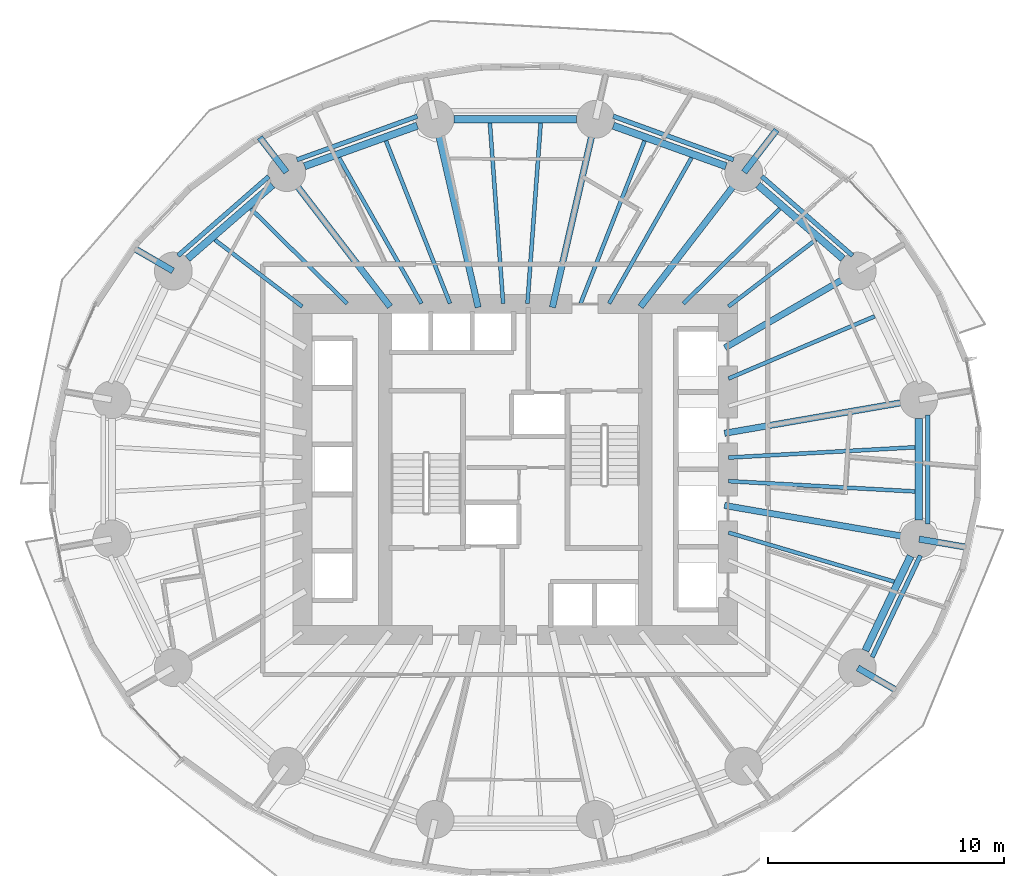
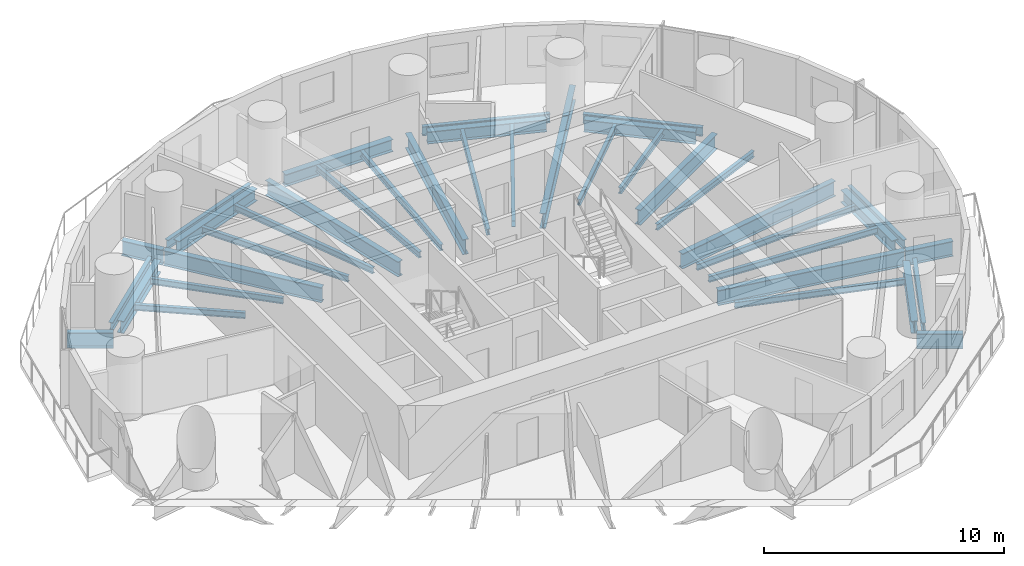
# One storey, part 4 of 14: 39 beams.
"""IFC4 building model written with IfcOpenShell, lengths in metres."""

from ifc_helpers import new_model, si_unit, direction, frame, origin, origin_2d, place, context, subcontext, project, spatial, i_section, extrude, material, material_profile, profile_set, type_object, element, save


model = new_model("IFC4")

# Units and contexts
model_context = context("Model", 3, precision=1e-05, world=origin(), true_north=direction((0.0, 1.0)))
body_context = subcontext(model_context, "Body", "Model", "MODEL_VIEW")
ifc_project = project(units=[si_unit("LENGTHUNIT", "METRE"), si_unit("AREAUNIT", "SQUARE_METRE"), si_unit("VOLUMEUNIT", "CUBIC_METRE"), si_unit("PLANEANGLEUNIT", "RADIAN"), si_unit("MASSUNIT", "GRAM", prefix="KILO")], contexts=[model_context])

# Site, building, storey
site_placement = place(None, origin())
site = spatial("IfcSite", under=ifc_project, at=site_placement, CompositionType="ELEMENT")
building_placement = place(site_placement, origin())
building = spatial("IfcBuilding", under=site, at=building_placement, Name="Veldorim Arch Residences", CompositionType="ELEMENT")
storey_placement = place(building_placement, frame((0.0, 0.0, 31.199951171875)))
storey = spatial("IfcBuildingStorey", under=building, at=storey_placement, Name="L08", CompositionType="ELEMENT", Elevation=31.199951171875)

# Beams
ifc_material_1 = material(Name="Steel S355", Category="steel")
ifc_material_profile_1 = material_profile(ifc_material_1, i_section(OverallWidth=0.30712890625, OverallDepth=0.6201171875, WebThickness=0.01416015625, FlangeThickness=0.023681640625, at=origin_2d()), Name="UB610x305x179")
ifc_profile_set_1 = profile_set([ifc_material_profile_1], Name="Steel S355")
beam_type_1 = type_object("IfcBeamType", Name="Structural Steel Beam UB610x305x179", PredefinedType="BEAM", material=ifc_profile_set_1)
beam_1_placement = place(storey_placement, frame((45.86328125, 32.913330078125, -0.550048828125), z_axis=(-0.755235029424, 0.655454079499, 0.0), x_axis=(-0.655454079499, -0.755235029424, 0.0)))
element("IfcBeam", 1, at=beam_1_placement, inside=storey, type_object=beam_type_1, Name="L08 perimeter ring tie beam 02", PredefinedType="BEAM", context=body_context, shape_type="SweptSolid", body=[
    extrude(i_section(OverallWidth=0.30712890625, OverallDepth=0.6201171875, WebThickness=0.01416015625, FlangeThickness=0.023681640625, at=origin_2d()), origin(), (0.0, 0.0, 1.0), 4.756591796875),
])
beam_2_placement = place(storey_placement, frame((40.9140625, 36.82568359375, -0.550048828125), z_axis=(-0.94103540046, 0.338308106732, 0.0), x_axis=(-0.338308106732, -0.94103540046, 0.0)))
element("IfcBeam", 2, at=beam_2_placement, inside=storey, type_object=beam_type_1, Name="L08 perimeter ring tie beam 03", PredefinedType="BEAM", context=body_context, shape_type="SweptSolid", body=[
    extrude(i_section(OverallWidth=0.30712890625, OverallDepth=0.6201171875, WebThickness=0.01416015625, FlangeThickness=0.023681640625, at=origin_2d()), origin(), (0.0, 0.0, 1.0), 5.065185546875),
])
beam_3_placement = place(storey_placement, frame((34.594482421875, 38.809814453125, -0.550048828125), z_axis=(-1.0, 0.0, 0.0), x_axis=(0.0, -1.0, 0.0)))
element("IfcBeam", 3, at=beam_3_placement, inside=storey, type_object=beam_type_1, Name="L08 perimeter ring tie beam 04", PredefinedType="BEAM", context=body_context, shape_type="SweptSolid", body=[
    extrude(i_section(OverallWidth=0.30712890625, OverallDepth=0.6201171875, WebThickness=0.01416015625, FlangeThickness=0.023681640625, at=origin_2d()), origin(), (0.0, 0.0, 1.0), 5.18896484375),
])
beam_4_placement = place(storey_placement, frame((27.8525390625, 38.539306640625, -0.550048828125), z_axis=(-0.94103540046, -0.338308106732, 0.0), x_axis=(0.338308106732, -0.94103540046, 0.0)))
element("IfcBeam", 4, at=beam_4_placement, inside=storey, type_object=beam_type_1, Name="L08 perimeter ring tie beam 05", PredefinedType="BEAM", context=body_context, shape_type="SweptSolid", body=[
    extrude(i_section(OverallWidth=0.30712890625, OverallDepth=0.6201171875, WebThickness=0.01416015625, FlangeThickness=0.023681640625, at=origin_2d()), origin(), (0.0, 0.0, 1.0), 5.065185546875),
])
beam_5_placement = place(storey_placement, frame((21.72900390625, 36.031005859375, -0.550048828125), z_axis=(-0.755235029424, -0.655454079499, 0.0), x_axis=(0.655454079499, -0.755235029424, 0.0)))
element("IfcBeam", 5, at=beam_5_placement, inside=storey, type_object=beam_type_1, Name="L08 perimeter ring tie beam 06", PredefinedType="BEAM", context=body_context, shape_type="SweptSolid", body=[
    extrude(i_section(OverallWidth=0.30712890625, OverallDepth=0.6201171875, WebThickness=0.01416015625, FlangeThickness=0.023681640625, at=origin_2d()), origin(), (0.0, 0.0, 1.0), 4.756591796875),
])
beam_6_placement = place(storey_placement, frame((46.812255859375, 16.3330078125, -0.550048828125), z_axis=(0.430786696724, 0.902453778276, 0.0), x_axis=(-0.902453778276, 0.430786696724, 0.0)))
element("IfcBeam", 6, at=beam_6_placement, inside=storey, type_object=beam_type_1, Name="L08 perimeter ring tie beam 15", PredefinedType="BEAM", context=body_context, shape_type="SweptSolid", body=[
    extrude(i_section(OverallWidth=0.30712890625, OverallDepth=0.6201171875, WebThickness=0.01416015625, FlangeThickness=0.023681640625, at=origin_2d()), origin(), (0.0, 0.0, 1.0), 4.431396484375),
])
beam_7_placement = place(storey_placement, frame((49.065673828125, 21.85400390625, -0.550048828125), z_axis=(0.0, 1.0, 0.0), x_axis=(-1.0, 0.0, 0.0)))
element("IfcBeam", 7, at=beam_7_placement, inside=storey, type_object=beam_type_1, Name="L08 perimeter ring tie beam 16", PredefinedType="BEAM", context=body_context, shape_type="SweptSolid", body=[
    extrude(i_section(OverallWidth=0.30712890625, OverallDepth=0.6201171875, WebThickness=0.01416015625, FlangeThickness=0.023681640625, at=origin_2d()), origin(), (0.0, 0.0, 1.0), 4.2919921875),
])
ifc_material_2 = material(Name="Steel S355", Category="steel")
ifc_material_profile_2 = material_profile(ifc_material_2, i_section(OverallWidth=0.26806640625, OverallDepth=0.769775390625, WebThickness=0.015625, FlangeThickness=0.025390625, at=origin_2d()), Name="UB762x267x197")
ifc_profile_set_2 = profile_set([ifc_material_profile_2], Name="Steel S355")
beam_type_2 = type_object("IfcBeamType", Name="Structural Steel GIRDER UB762x267x197", PredefinedType="USERDEFINED", material=ifc_profile_set_2)
beam_8_placement = place(storey_placement, frame((40.852294921875, 25.528076171875, -0.624755859375), z_axis=(0.985427548249, 0.170095699979, 0.0), x_axis=(-0.170095699979, 0.985427548249, 0.0)))
element("IfcBeam", 8, at=beam_8_placement, inside=storey, type_object=beam_type_2, Name="L08 radial floor girder 01", ObjectType="GIRDER", PredefinedType="USERDEFINED", context=body_context, shape_type="SweptSolid", body=[
    extrude(i_section(OverallWidth=0.26806640625, OverallDepth=0.769775390625, WebThickness=0.015625, FlangeThickness=0.025390625, at=origin_2d()), origin(), (0.0, 0.0, 1.0), 8.314697265625),
])
beam_9_placement = place(storey_placement, frame((40.8701171875, 29.1435546875, -0.624755859375), z_axis=(0.865088348752, 0.501619525989, 0.0), x_axis=(-0.501619525989, 0.865088348752, 0.0)))
element("IfcBeam", 9, at=beam_9_placement, inside=storey, type_object=beam_type_2, Name="L08 radial floor girder 02", ObjectType="GIRDER", PredefinedType="USERDEFINED", context=body_context, shape_type="SweptSolid", body=[
    extrude(i_section(OverallWidth=0.26806640625, OverallDepth=0.769775390625, WebThickness=0.015625, FlangeThickness=0.025390625, at=origin_2d()), origin(), (0.0, 0.0, 1.0), 6.4501953125),
])
beam_10_placement = place(storey_placement, frame((37.298095703125, 30.881103515625, -0.624755859375), z_axis=(0.610082439157, 0.792337943956, 0.0), x_axis=(-0.792337943956, 0.610082439157, 0.0)))
element("IfcBeam", 10, at=beam_10_placement, inside=storey, type_object=beam_type_2, Name="L08 radial floor girder 03", ObjectType="GIRDER", PredefinedType="USERDEFINED", context=body_context, shape_type="SweptSolid", body=[
    extrude(i_section(OverallWidth=0.26806640625, OverallDepth=0.769775390625, WebThickness=0.015625, FlangeThickness=0.025390625, at=origin_2d()), origin(), (0.0, 0.0, 1.0), 7.14111328125),
])
beam_11_placement = place(storey_placement, frame((41.67919921875, 36.571044921875, -0.624755859375), z_axis=(0.610044777152, 0.792366941429, 0.0), x_axis=(-0.792366941429, 0.610044777152, 0.0)))
element("IfcBeam", 11, at=beam_11_placement, inside=storey, type_object=beam_type_2, Name="L08 radial edge cantilever girder 03", ObjectType="GIRDER", PredefinedType="USERDEFINED", context=body_context, shape_type="SweptSolid", body=[
    extrude(i_section(OverallWidth=0.26806640625, OverallDepth=0.769775390625, WebThickness=0.015625, FlangeThickness=0.025390625, at=origin_2d()), origin(), (0.0, 0.0, 1.0), 2.26025390625),
])
for number, where, z_axis, x_axis, name in (
    (12, (33.571044921875, 30.853759765625, -0.624755859375), (0.223411766201, 0.974724157248, 0.0), (-0.974724157248, 0.223411766201, 0.0), "L08 radial floor girder 04"),
    (13, (30.428955078125, 30.853759765625, -0.624755859375), (-0.223411766201, 0.974724157248, 0.0), (-0.974724157248, -0.223411766201, 0.0), "L08 radial floor girder 05"),
):
    element("IfcBeam", number, at=place(storey_placement, frame(where, z_axis=z_axis, x_axis=x_axis)), inside=storey, type_object=beam_type_2, Name=name, ObjectType="GIRDER", PredefinedType="USERDEFINED", context=body_context, shape_type="SweptSolid", body=[
        extrude(i_section(OverallWidth=0.26806640625, OverallDepth=0.769775390625, WebThickness=0.015625, FlangeThickness=0.025390625, at=origin_2d()), origin(), (0.0, 0.0, 1.0), 8.142333984375),
    ])
beam_12_placement = place(storey_placement, frame((26.701904296875, 30.881103515625, -0.624755859375), z_axis=(-0.610082439157, 0.792337943956, 0.0), x_axis=(-0.792337943956, -0.610082439157, 0.0)))
element("IfcBeam", 14, at=beam_12_placement, inside=storey, type_object=beam_type_2, Name="L08 radial floor girder 06", ObjectType="GIRDER", PredefinedType="USERDEFINED", context=body_context, shape_type="SweptSolid", body=[
    extrude(i_section(OverallWidth=0.26806640625, OverallDepth=0.769775390625, WebThickness=0.015625, FlangeThickness=0.025390625, at=origin_2d()), origin(), (0.0, 0.0, 1.0), 7.14111328125),
])
beam_13_placement = place(storey_placement, frame((22.32080078125, 36.571044921875, -0.624755859375), z_axis=(-0.610034959005, 0.792374500342, 0.0), x_axis=(-0.792374500342, -0.610034959005, 0.0)))
element("IfcBeam", 15, at=beam_13_placement, inside=storey, type_object=beam_type_2, Name="L08 radial edge cantilever girder 06", ObjectType="GIRDER", PredefinedType="USERDEFINED", context=body_context, shape_type="SweptSolid", body=[
    extrude(i_section(OverallWidth=0.26806640625, OverallDepth=0.769775390625, WebThickness=0.015625, FlangeThickness=0.025390625, at=origin_2d()), origin(), (0.0, 0.0, 1.0), 1.855712890625),
])
for number, where, z_axis, x_axis, name in (
    (16, (17.51513671875, 32.399169921875, -0.624755859375), (-0.865102072799, 0.501595856879, 0.0), (-0.501595856879, -0.865102072799, 0.0), "L08 radial edge cantilever girder 07"),
    (17, (46.48486328125, 15.600830078125, -0.624755859375), (0.865102072799, -0.501595856879, 0.0), (0.501595856879, 0.865102072799, 0.0), "L08 radial edge cantilever girder 15"),
):
    element("IfcBeam", number, at=place(storey_placement, frame(where, z_axis=z_axis, x_axis=x_axis)), inside=storey, type_object=beam_type_2, Name=name, ObjectType="GIRDER", PredefinedType="USERDEFINED", context=body_context, shape_type="SweptSolid", body=[
        extrude(i_section(OverallWidth=0.26806640625, OverallDepth=0.769775390625, WebThickness=0.015625, FlangeThickness=0.025390625, at=origin_2d()), origin(), (0.0, 0.0, 1.0), 1.943115234375),
    ])
beam_14_placement = place(storey_placement, frame((40.852294921875, 22.471923828125, -0.624755859375), z_axis=(0.985427548249, -0.170095699979, 0.0), x_axis=(0.170095699979, 0.985427548249, 0.0)))
element("IfcBeam", 18, at=beam_14_placement, inside=storey, type_object=beam_type_2, Name="L08 radial floor girder 16", ObjectType="GIRDER", PredefinedType="USERDEFINED", context=body_context, shape_type="SweptSolid", body=[
    extrude(i_section(OverallWidth=0.26806640625, OverallDepth=0.769775390625, WebThickness=0.015625, FlangeThickness=0.025390625, at=origin_2d()), origin(), (0.0, 0.0, 1.0), 8.314697265625),
])
beam_15_placement = place(storey_placement, frame((49.08544921875, 21.05078125, -0.624755859375), z_axis=(0.985424365947, -0.170114135211, 0.0), x_axis=(0.170114135211, 0.985424365947, 0.0)))
element("IfcBeam", 19, at=beam_15_placement, inside=storey, type_object=beam_type_2, Name="L08 radial edge cantilever girder 16", ObjectType="GIRDER", PredefinedType="USERDEFINED", context=body_context, shape_type="SweptSolid", body=[
    extrude(i_section(OverallWidth=0.26806640625, OverallDepth=0.769775390625, WebThickness=0.015625, FlangeThickness=0.025390625, at=origin_2d()), origin(), (0.0, 0.0, 1.0), 2.091064453125),
])
ifc_material_3 = material(Name="Steel S355", Category="steel")
ifc_material_profile_3 = material_profile(ifc_material_3, i_section(OverallWidth=0.165771484375, OverallDepth=0.306640625, WebThickness=0.006591796875, FlangeThickness=0.01171875, at=origin_2d()), Name="UB305x165x46")
ifc_profile_set_3 = profile_set([ifc_material_profile_3], Name="Steel S355")
beam_type_3 = type_object("IfcBeamType", Name="Structural Steel Joist UB305x165x46", PredefinedType="JOIST", material=ifc_profile_set_3)
beam_16_placement = place(storey_placement, frame((41.018310546875, 27.84130859375, -0.393310546875), z_axis=(0.920032948668, 0.391841005213, 0.0), x_axis=(-0.391841005213, 0.920032948668, 0.0)))
element("IfcBeam", 20, at=beam_16_placement, inside=storey, type_object=beam_type_3, Name="L08 secondary radial floor joist 01-2", PredefinedType="JOIST", context=body_context, shape_type="SweptSolid", body=[
    extrude(i_section(OverallWidth=0.165771484375, OverallDepth=0.306640625, WebThickness=0.006591796875, FlangeThickness=0.01171875, at=origin_2d()), origin(), (0.0, 0.0, 1.0), 6.723388671875),
])
beam_17_placement = place(storey_placement, frame((41.015869140625, 30.8876953125, -0.393310546875), z_axis=(0.794666431166, 0.607046343517, 0.0), x_axis=(-0.607046343517, 0.794666431166, 0.0)))
element("IfcBeam", 21, at=beam_17_placement, inside=storey, type_object=beam_type_3, Name="L08 secondary radial floor joist 02-1", PredefinedType="JOIST", context=body_context, shape_type="SweptSolid", body=[
    extrude(i_section(OverallWidth=0.165771484375, OverallDepth=0.306640625, WebThickness=0.006591796875, FlangeThickness=0.01171875, at=origin_2d()), origin(), (0.0, 0.0, 1.0), 4.646728515625),
])
beam_18_placement = place(storey_placement, frame((39.114990234375, 31.013916015625, -0.393310546875), z_axis=(0.712129078446, 0.702048556463, 0.0), x_axis=(-0.702048556463, 0.712129078446, 0.0)))
element("IfcBeam", 22, at=beam_18_placement, inside=storey, type_object=beam_type_3, Name="L08 secondary radial floor joist 02-2", PredefinedType="JOIST", context=body_context, shape_type="SweptSolid", body=[
    extrude(i_section(OverallWidth=0.165771484375, OverallDepth=0.306640625, WebThickness=0.006591796875, FlangeThickness=0.01171875, at=origin_2d()), origin(), (0.0, 0.0, 1.0), 5.715576171875),
])
beam_19_placement = place(storey_placement, frame((35.96875, 31.017333984375, -0.393310546875), z_axis=(0.492292335352, 0.870429926274, 0.0), x_axis=(-0.870429926274, 0.492292335352, 0.0)))
element("IfcBeam", 23, at=beam_19_placement, inside=storey, type_object=beam_type_3, Name="L08 secondary radial floor joist 03-1", PredefinedType="JOIST", context=body_context, shape_type="SweptSolid", body=[
    extrude(i_section(OverallWidth=0.165771484375, OverallDepth=0.306640625, WebThickness=0.006591796875, FlangeThickness=0.01171875, at=origin_2d()), origin(), (0.0, 0.0, 1.0), 7.083251953125),
])
beam_20_placement = place(storey_placement, frame((34.762451171875, 31.0185546875, -0.393310546875), z_axis=(0.366229833858, 0.930524426758, 0.0), x_axis=(-0.930524426758, 0.366229833858, 0.0)))
element("IfcBeam", 24, at=beam_20_placement, inside=storey, type_object=beam_type_3, Name="L08 secondary radial floor joist 03-2", PredefinedType="JOIST", context=body_context, shape_type="SweptSolid", body=[
    extrude(i_section(OverallWidth=0.165771484375, OverallDepth=0.306640625, WebThickness=0.006591796875, FlangeThickness=0.01171875, at=origin_2d()), origin(), (0.0, 0.0, 1.0), 7.3896484375),
])
for number, where, z_axis, x_axis, name in (
    (25, (32.514892578125, 31.02001953125, -0.393310546875), (0.073167620373, 0.997319657547, 0.0), (-0.997319657547, 0.073167620373, 0.0), "L08 secondary radial floor joist 04-1"),
    (26, (31.485107421875, 31.02001953125, -0.393310546875), (-0.073167620373, 0.997319657547, 0.0), (-0.997319657547, -0.073167620373, 0.0), "L08 secondary radial floor joist 04-2"),
):
    element("IfcBeam", number, at=place(storey_placement, frame(where, z_axis=z_axis, x_axis=x_axis)), inside=storey, type_object=beam_type_3, Name=name, PredefinedType="JOIST", context=body_context, shape_type="SweptSolid", body=[
        extrude(i_section(OverallWidth=0.165771484375, OverallDepth=0.306640625, WebThickness=0.006591796875, FlangeThickness=0.01171875, at=origin_2d()), origin(), (0.0, 0.0, 1.0), 7.651123046875),
    ])
beam_21_placement = place(storey_placement, frame((29.237548828125, 31.0185546875, -0.393310546875), z_axis=(-0.366229833858, 0.930524426758, 0.0), x_axis=(-0.930524426758, -0.366229833858, 0.0)))
element("IfcBeam", 27, at=beam_21_placement, inside=storey, type_object=beam_type_3, Name="L08 secondary radial floor joist 05-1", PredefinedType="JOIST", context=body_context, shape_type="SweptSolid", body=[
    extrude(i_section(OverallWidth=0.165771484375, OverallDepth=0.306640625, WebThickness=0.006591796875, FlangeThickness=0.01171875, at=origin_2d()), origin(), (0.0, 0.0, 1.0), 7.3896484375),
])
beam_22_placement = place(storey_placement, frame((28.03125, 31.017333984375, -0.393310546875), z_axis=(-0.492292335352, 0.870429926274, 0.0), x_axis=(-0.870429926274, -0.492292335352, 0.0)))
element("IfcBeam", 28, at=beam_22_placement, inside=storey, type_object=beam_type_3, Name="L08 secondary radial floor joist 05-2", PredefinedType="JOIST", context=body_context, shape_type="SweptSolid", body=[
    extrude(i_section(OverallWidth=0.165771484375, OverallDepth=0.306640625, WebThickness=0.006591796875, FlangeThickness=0.01171875, at=origin_2d()), origin(), (0.0, 0.0, 1.0), 7.083251953125),
])
beam_23_placement = place(storey_placement, frame((24.885009765625, 31.013916015625, -0.393310546875), z_axis=(-0.712129078446, 0.702048556463, 0.0), x_axis=(-0.702048556463, -0.712129078446, 0.0)))
element("IfcBeam", 29, at=beam_23_placement, inside=storey, type_object=beam_type_3, Name="L08 secondary radial floor joist 06-1", PredefinedType="JOIST", context=body_context, shape_type="SweptSolid", body=[
    extrude(i_section(OverallWidth=0.165771484375, OverallDepth=0.306640625, WebThickness=0.006591796875, FlangeThickness=0.01171875, at=origin_2d()), origin(), (0.0, 0.0, 1.0), 5.715576171875),
])
beam_24_placement = place(storey_placement, frame((22.984130859375, 30.8876953125, -0.393310546875), z_axis=(-0.794666431166, 0.607046343517, 0.0), x_axis=(-0.607046343517, -0.794666431166, 0.0)))
element("IfcBeam", 30, at=beam_24_placement, inside=storey, type_object=beam_type_3, Name="L08 secondary radial floor joist 06-2", PredefinedType="JOIST", context=body_context, shape_type="SweptSolid", body=[
    extrude(i_section(OverallWidth=0.165771484375, OverallDepth=0.306640625, WebThickness=0.006591796875, FlangeThickness=0.01171875, at=origin_2d()), origin(), (0.0, 0.0, 1.0), 4.646728515625),
])
beam_25_placement = place(storey_placement, frame((41.019287109375, 21.32666015625, -0.393310546875), z_axis=(0.958766778771, -0.284194060325, 0.0), x_axis=(0.284194060325, 0.958766778771, 0.0)))
element("IfcBeam", 31, at=beam_25_placement, inside=storey, type_object=beam_type_3, Name="L08 secondary radial floor joist 15-2", PredefinedType="JOIST", context=body_context, shape_type="SweptSolid", body=[
    extrude(i_section(OverallWidth=0.165771484375, OverallDepth=0.306640625, WebThickness=0.006591796875, FlangeThickness=0.01171875, at=origin_2d()), origin(), (0.0, 0.0, 1.0), 7.3115234375),
])
for number, where, z_axis, x_axis, name in (
    (32, (41.02001953125, 23.501708984375, -0.393310546875), (0.998478371109, -0.055144740699, 0.0), (0.055144740699, 0.998478371109, 0.0), "L08 secondary radial floor joist 16-1"),
    (33, (41.02001953125, 24.498291015625, -0.393310546875), (0.998478371109, 0.055144740699, 0.0), (-0.055144740699, 0.998478371109, 0.0), "L08 secondary radial floor joist 16-2"),
):
    element("IfcBeam", number, at=place(storey_placement, frame(where, z_axis=z_axis, x_axis=x_axis)), inside=storey, type_object=beam_type_3, Name=name, PredefinedType="JOIST", context=body_context, shape_type="SweptSolid", body=[
        extrude(i_section(OverallWidth=0.165771484375, OverallDepth=0.306640625, WebThickness=0.006591796875, FlangeThickness=0.01171875, at=origin_2d()), origin(), (0.0, 0.0, 1.0), 7.898193359375),
    ])
ifc_material_4 = material(Name="Steel S355", Category="steel")
ifc_material_profile_4 = material_profile(ifc_material_4, i_section(OverallWidth=0.19140625, OverallDepth=0.4599609375, WebThickness=0.010009765625, FlangeThickness=0.01611328125, at=origin_2d()), Name="UB457x191x82")
ifc_profile_set_4 = profile_set([ifc_material_profile_4], Name="Steel S355")
beam_type_4 = type_object("IfcBeamType", Name="Structural Steel Spandrel UB457x191x82", PredefinedType="SPANDREL", material=ifc_profile_set_4)
beam_26_placement = place(storey_placement, frame((46.26611328125, 33.042724609375, -0.489990234375), z_axis=(-0.753250231024, 0.65773405679, 0.0), x_axis=(-0.65773405679, -0.753250231024, 0.0)))
element("IfcBeam", 34, at=beam_26_placement, inside=storey, type_object=beam_type_4, Name="L08 perimeter chord spandrel beam 02", PredefinedType="SPANDREL", context=body_context, shape_type="SweptSolid", body=[
    extrude(i_section(OverallWidth=0.19140625, OverallDepth=0.4599609375, WebThickness=0.010009765625, FlangeThickness=0.01611328125, at=origin_2d()), origin(), (0.0, 0.0, 1.0), 5.09423828125),
])
for number, where, z_axis, x_axis, name in (
    (35, (41.23681640625, 37.095947265625, -0.489990234375), (-0.940271320222, 0.340425974873, 0.0), (-0.340425974873, -0.940271320222, 0.0), "L08 perimeter chord spandrel beam 03"),
    (36, (27.8583984375, 38.940673828125, -0.489990234375), (-0.940271320222, -0.340425974873, 0.0), (0.340425974873, -0.940271320222, 0.0), "L08 perimeter chord spandrel beam 05"),
):
    element("IfcBeam", number, at=place(storey_placement, frame(where, z_axis=z_axis, x_axis=x_axis)), inside=storey, type_object=beam_type_4, Name=name, PredefinedType="SPANDREL", context=body_context, shape_type="SweptSolid", body=[
        extrude(i_section(OverallWidth=0.19140625, OverallDepth=0.4599609375, WebThickness=0.010009765625, FlangeThickness=0.01611328125, at=origin_2d()), origin(), (0.0, 0.0, 1.0), 5.4189453125),
    ])
beam_27_placement = place(storey_placement, frame((21.571044921875, 36.393310546875, -0.489990234375), z_axis=(-0.753250231024, -0.65773405679, 0.0), x_axis=(0.65773405679, -0.753250231024, 0.0)))
element("IfcBeam", 37, at=beam_27_placement, inside=storey, type_object=beam_type_4, Name="L08 perimeter chord spandrel beam 06", PredefinedType="SPANDREL", context=body_context, shape_type="SweptSolid", body=[
    extrude(i_section(OverallWidth=0.19140625, OverallDepth=0.4599609375, WebThickness=0.010009765625, FlangeThickness=0.01611328125, at=origin_2d()), origin(), (0.0, 0.0, 1.0), 5.09423828125),
])
beam_28_placement = place(storey_placement, frame((47.09814453125, 16.056396484375, -0.489990234375), z_axis=(0.42886940858, 0.903366498374, 0.0), x_axis=(-0.903366498374, 0.42886940858, 0.0)))
element("IfcBeam", 38, at=beam_28_placement, inside=storey, type_object=beam_type_4, Name="L08 perimeter chord spandrel beam 15", PredefinedType="SPANDREL", context=body_context, shape_type="SweptSolid", body=[
    extrude(i_section(OverallWidth=0.19140625, OverallDepth=0.4599609375, WebThickness=0.010009765625, FlangeThickness=0.01611328125, at=origin_2d()), origin(), (0.0, 0.0, 1.0), 4.7568359375),
])
beam_29_placement = place(storey_placement, frame((49.440185546875, 21.693603515625, -0.489990234375), z_axis=(0.0, 1.0, 0.0), x_axis=(-1.0, 0.0, 0.0)))
element("IfcBeam", 39, at=beam_29_placement, inside=storey, type_object=beam_type_4, Name="L08 perimeter chord spandrel beam 16", PredefinedType="SPANDREL", context=body_context, shape_type="SweptSolid", body=[
    extrude(i_section(OverallWidth=0.19140625, OverallDepth=0.4599609375, WebThickness=0.010009765625, FlangeThickness=0.01611328125, at=origin_2d()), origin(), (0.0, 0.0, 1.0), 4.61279296875),
])

save(model, "model.ifc")
